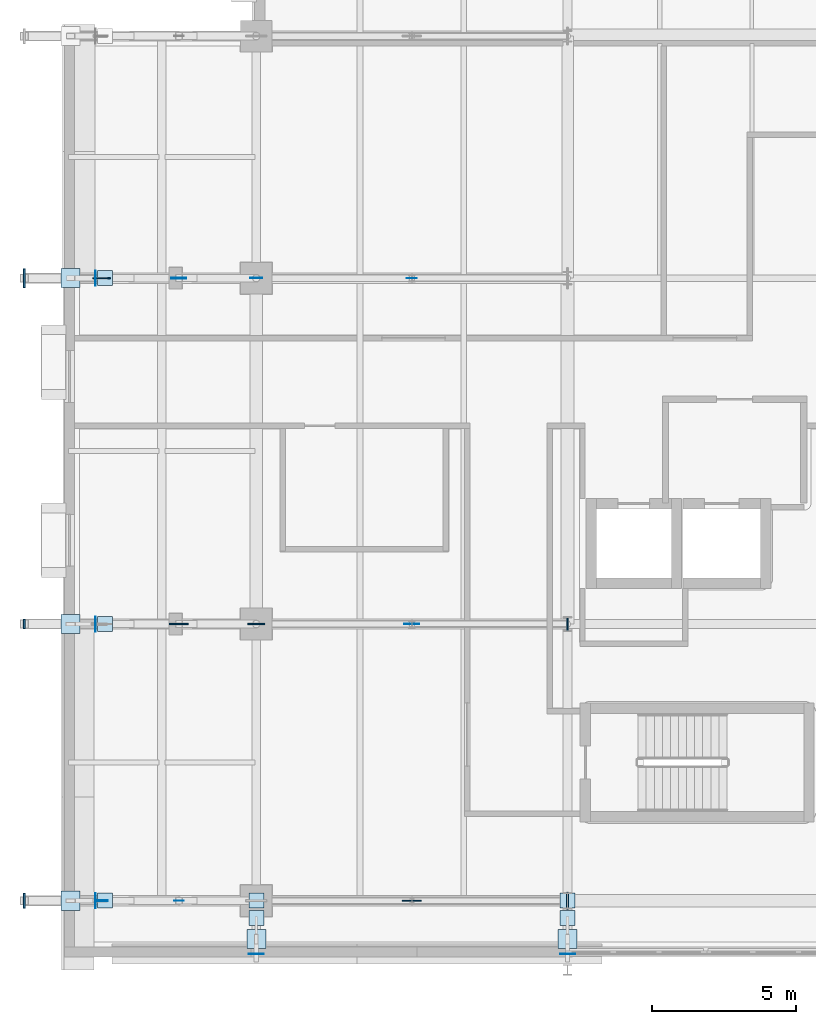
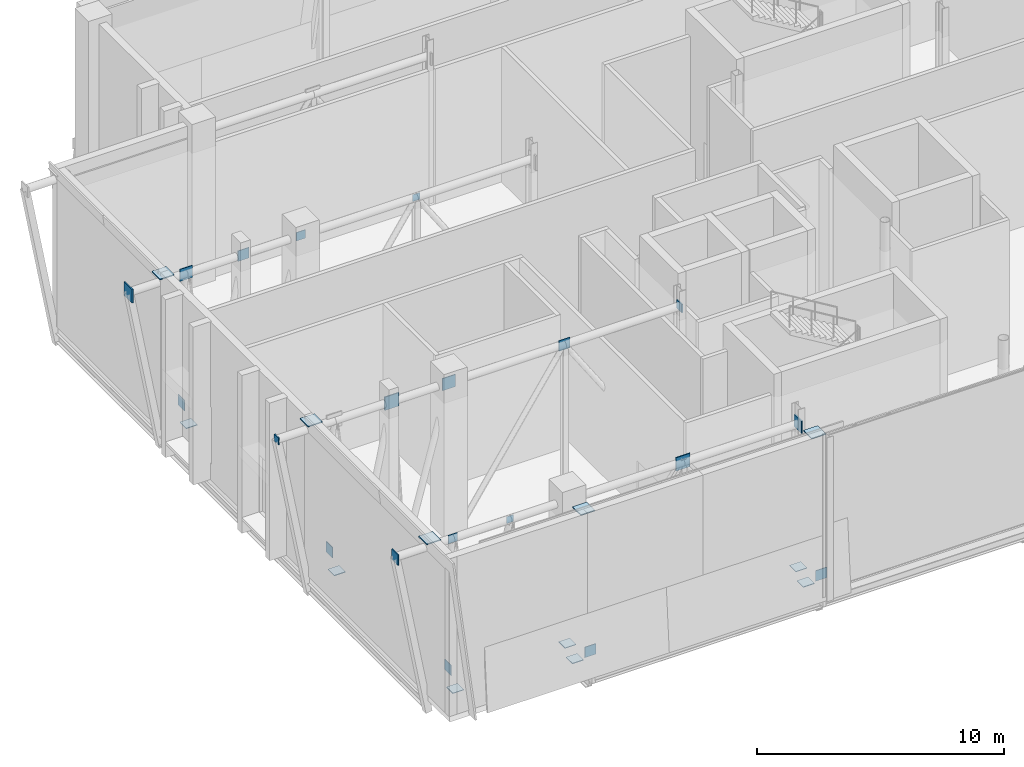
# One storey, part 43 of 79: 32 plates.
"""IFC4 building model written with IfcOpenShell, lengths in metres."""

import ifcopenshell
import ifcopenshell.guid

model = None  # the IFC model being written
_history = None  # IfcOwnerHistory: only IFC2X3 demands one
_inside = {}  # id of a spatial element -> (the spatial element, [elements in it])
_under = {}  # id of a project, library or spatial element -> (it, [spatial elements below it])
_declared = {}  # id of a project -> (the project, [libraries it declares])
_typed = {}  # id of a type object -> (the type object, [elements of that type])
_made_of = {}  # id of a material, layer set ... -> (it, [elements and type objects made of it])


def new_model(schema):
    """Start an empty IFC model of exactly this schema.

    Asked for "IFC4X3", IfcOpenShell would pick the latest addendum, in which some entities
    have other attributes; the version numbers below select the first issue.
    IFC2X3 requires an IfcOwnerHistory on every rooted entity: one is made here for all.
    """
    global model, _history
    if schema == "IFC4X3":
        model = ifcopenshell.file(schema_version=(4, 3, 0, 0))
    else:
        model = ifcopenshell.file(schema=schema)
    _inside.clear()
    _under.clear()
    _declared.clear()
    _typed.clear()
    _made_of.clear()
    _history = None
    if model.schema == "IFC2X3":
        org = make("IfcOrganization", Name="unknown")
        user = make(
            "IfcPersonAndOrganization",
            ThePerson=make("IfcPerson", FamilyName="unknown"),
            TheOrganization=org,
        )
        app = make(
            "IfcApplication",
            ApplicationDeveloper=org,
            Version="unknown",
            ApplicationFullName="unknown",
            ApplicationIdentifier="unknown",
        )
        _history = make(
            "IfcOwnerHistory",
            OwningUser=user,
            OwningApplication=app,
            ChangeAction="ADDED",
            CreationDate=0,
        )
    return model


def make(cls, **values):
    """One entity of the class cls with the attributes given. An attribute that is None is left unset."""
    return model.create_entity(
        cls, **{name: value for name, value in values.items() if value is not None}
    )


def rooted(cls, **values):
    """An entity with a GlobalId (a new one), such as an element, a storey or a relation."""
    return make(cls, GlobalId=ifcopenshell.guid.new(), OwnerHistory=_history, **values)


def si_unit(unit_type, name, prefix=None):
    """IfcSIUnit, for example si_unit("LENGTHUNIT", "METRE", prefix="MILLI")."""
    return make("IfcSIUnit", UnitType=unit_type, Prefix=prefix, Name=name)


def assignment(units):
    """IfcUnitAssignment: the units of a project."""
    return None if units is None else make("IfcUnitAssignment", Units=units)


def point(xyz):
    """IfcCartesianPoint."""
    return None if xyz is None else make("IfcCartesianPoint", Coordinates=xyz)


def direction(xyz):
    """IfcDirection."""
    return None if xyz is None else make("IfcDirection", DirectionRatios=xyz)


def frame(location, z_axis=None, x_axis=None):
    """IfcAxis2Placement3D, a coordinate frame: its origin and axes. An axis left out is left unset."""
    return make(
        "IfcAxis2Placement3D",
        Location=point(location),
        Axis=direction(z_axis),
        RefDirection=direction(x_axis),
    )


def frame_2d(location, x_axis=None):
    """IfcAxis2Placement2D, a coordinate frame in the plane: its origin and x axis."""
    return make(
        "IfcAxis2Placement2D", Location=point(location), RefDirection=direction(x_axis)
    )


def origin():
    """The frame at (0, 0, 0) with its axes left unset."""
    return frame((0.0, 0.0, 0.0))


def origin_2d():
    """The frame at (0, 0) in the plane with its x axis left unset."""
    return frame_2d((0.0, 0.0))


def place(relative_to, where):
    """IfcLocalPlacement: puts the frame where relative to a parent placement (None: the world)."""
    return make(
        "IfcLocalPlacement", PlacementRelTo=relative_to, RelativePlacement=where
    )


def context(
    kind, dimensions, precision=None, world=None, true_north=None, identifier=None
):
    """IfcGeometricRepresentationContext, for example the 3D "Model" context."""
    return make(
        "IfcGeometricRepresentationContext",
        ContextIdentifier=identifier,
        ContextType=kind,
        CoordinateSpaceDimension=dimensions,
        Precision=precision,
        WorldCoordinateSystem=world,
        TrueNorth=true_north,
    )


def subcontext(parent, identifier, kind, view, scale=None):
    """IfcGeometricRepresentationSubContext, for example "Body" below "Model"."""
    return make(
        "IfcGeometricRepresentationSubContext",
        ContextIdentifier=identifier,
        ContextType=kind,
        ParentContext=parent,
        TargetScale=scale,
        TargetView=view,
    )


def project(units=None, contexts=None):
    """IfcProject with its units and contexts."""
    return rooted(
        "IfcProject",
        Name="project",
        RepresentationContexts=contexts,
        UnitsInContext=assignment(units),
    )


def spatial(cls, under=None, at=None, **own):
    """A site, building, storey or space (cls), placed at a placement, below another one or the project."""
    s = rooted(cls, ObjectPlacement=at, **own)
    if under is not None:
        _under.setdefault(under.id(), (under, []))[1].append(s)
    return s


def profile(cls, at=None, kind="AREA", **sizes):
    """A parametric profile (cls). Its sizes go by their IFC names, for example OverallWidth=200.0."""
    return make(cls, ProfileType=kind, Position=at, **sizes)


def rectangle(**sizes):
    """IfcRectangleProfileDef."""
    return profile("IfcRectangleProfileDef", **sizes)


def extrude(swept, where, along, depth):
    """IfcExtrudedAreaSolid: the profile swept, set in the frame where, extruded along a direction by depth."""
    return make(
        "IfcExtrudedAreaSolid",
        SweptArea=swept,
        Position=where,
        ExtrudedDirection=direction(along),
        Depth=depth,
    )


def shape(context_of_items, identifier, shape_type, items):
    """IfcShapeRepresentation: the items that make up one representation, for example the "Body"."""
    return make(
        "IfcShapeRepresentation",
        ContextOfItems=context_of_items,
        RepresentationIdentifier=identifier,
        RepresentationType=shape_type,
        Items=items,
    )


def material(Name=None, Category=None):
    """IfcMaterial."""
    return make("IfcMaterial", Name=Name, Category=Category)


def layer(
    of_material, thickness, ventilated=None, Name=None, Category=None, Priority=None
):
    """IfcMaterialLayer: one layer of a wall or slab, of a material (None: an air gap)."""
    return make(
        "IfcMaterialLayer",
        Material=of_material,
        LayerThickness=thickness,
        IsVentilated=ventilated,
        Name=Name,
        Category=Category,
        Priority=Priority,
    )


def layer_set(layers, Name=None):
    """IfcMaterialLayerSet."""
    return make("IfcMaterialLayerSet", MaterialLayers=layers, LayerSetName=Name)


def made_of(thing, what):
    """Note that an element or type object is made of a material, layer set ...; save() writes the relation."""
    if what is not None:
        _made_of.setdefault(what.id(), (what, []))[1].append(thing)
    return thing


def type_object(cls, material=None, **own):
    """A type object (cls), such as IfcWallType, which elements share."""
    return made_of(rooted(cls, **own), material)


def element(
    cls,
    number,
    at=None,
    inside=None,
    cuts=None,
    type_object=None,
    material=None,
    context=None,
    identifier="Body",
    shape_type=None,
    held_by="IfcProductDefinitionShape",
    body=None,
    shapes=None,
    **own,
):
    """One element of the class cls, such as IfcWall. Its Tag is "e" and its number.

    at: its placement. inside: the storey or other place that contains it. cuts: it is an
    opening in that element (IfcRelVoidsElement). A single representation is given by context,
    identifier, shape_type and body (its items); several are given by shapes. held_by: the class
    of the entity that holds the representations. save() writes the other relations.
    """
    e = rooted(cls, Tag="e%d" % number, ObjectPlacement=at, **own)
    if body is not None:
        shapes = [shape(context, identifier, shape_type, body)]
    if shapes is not None:
        e.Representation = make(held_by, Representations=shapes)
    if inside is not None:
        _inside.setdefault(inside.id(), (inside, []))[1].append(e)
    if cuts is not None:
        rooted(
            "IfcRelVoidsElement", RelatingBuildingElement=cuts, RelatedOpeningElement=e
        )
    if type_object is not None:
        _typed.setdefault(type_object.id(), (type_object, []))[1].append(e)
    return made_of(e, material)


def aggregate(whole, parts):
    """IfcRelAggregates: a whole, such as a stair, and the parts it consists of."""
    return rooted("IfcRelAggregates", RelatingObject=whole, RelatedObjects=parts)


def save(model, path):
    """Write the relations noted so far, then the file.

    IfcRelAggregates (storeys below a building ...), IfcRelContainedInSpatialStructure (elements
    in a storey), IfcRelDefinesByType, IfcRelAssociatesMaterial and IfcRelDeclares: one each for
    every whole, place, type object, material and project.
    """
    for whole, parts in _under.values():
        aggregate(whole, parts)
    for where, things in _inside.values():
        rooted(
            "IfcRelContainedInSpatialStructure",
            RelatedElements=things,
            RelatingStructure=where,
        )
    for kind, things in _typed.values():
        rooted("IfcRelDefinesByType", RelatedObjects=things, RelatingType=kind)
    for what, things in _made_of.values():
        rooted("IfcRelAssociatesMaterial", RelatedObjects=things, RelatingMaterial=what)
    for by, libraries in _declared.values():
        rooted("IfcRelDeclares", RelatingContext=by, RelatedDefinitions=libraries)
    model.write(path)


model = new_model("IFC4")

# Units and contexts
model_context = context("Model", 3, precision=1e-05, world=origin(), true_north=direction((0.0, 1.0)))
body_context = subcontext(model_context, "Body", "Model", "MODEL_VIEW")
ifc_project = project(units=[si_unit("LENGTHUNIT", "METRE"), si_unit("AREAUNIT", "SQUARE_METRE"), si_unit("VOLUMEUNIT", "CUBIC_METRE"), si_unit("PLANEANGLEUNIT", "RADIAN"), si_unit("MASSUNIT", "GRAM", prefix="KILO")], contexts=[model_context])

# Site, building, storey
site_placement = place(None, origin())
site = spatial("IfcSite", under=ifc_project, at=site_placement, CompositionType="ELEMENT")
building_placement = place(site_placement, origin())
building = spatial("IfcBuilding", under=site, at=building_placement, Name="Zereglee Splitstone Museum", CompositionType="ELEMENT")
storey_placement = place(building_placement, frame((0.0, 0.0, 9.0)))
storey = spatial("IfcBuildingStorey", under=building, at=storey_placement, Name="L02", CompositionType="ELEMENT", Elevation=9.0)

# Plates
ifc_material = material(Name="Steel S355J2", Category="steel")
ifc_layer_1 = layer(ifc_material, 0.011962890625)
ifc_layer_set_1 = layer_set([ifc_layer_1], Name="Steel S355J2")
plate_type_1 = type_object("IfcPlateType", Name="NP-06", PredefinedType="SHEET", material=ifc_layer_set_1)
plate_1_placement = place(storey_placement, frame((6.916748046875, 0.0, 7.02978515625), z_axis=(0.0, 0.0, 1.0), x_axis=(1.0, 0.0, 0.0)))
element("IfcPlate", 1, at=plate_1_placement, inside=storey, type_object=plate_type_1, Name="Cantilever Truss Node Plate CN-01", PredefinedType="SHEET", context=body_context, shape_type="SweptSolid", body=[
    extrude(rectangle(XDim=0.340087890625, YDim=0.011962890625, at=origin_2d()), origin(), (0.0, 0.0, 1.0), 0.340087890625),
])
plate_2_placement = place(storey_placement, frame((1.550048828125, 9.60009765625, 7.02978515625), z_axis=(0.0, 0.0, 1.0), x_axis=(1.0, 0.0, 0.0)))
element("IfcPlate", 2, at=plate_2_placement, inside=storey, type_object=plate_type_1, Name="Cantilever Truss Node Plate CN-02", PredefinedType="SHEET", context=body_context, shape_type="SweptSolid", body=[
    extrude(rectangle(XDim=0.06005859375, YDim=0.340087890625, at=origin_2d()), origin(), (0.0, 0.0, 1.0), 0.340087890625),
])
plate_3_placement = place(storey_placement, frame((15.0, 21.60009765625, 7.02978515625), z_axis=(0.0, 0.0, 1.0), x_axis=(1.0, 0.0, 0.0)))
element("IfcPlate", 3, at=plate_3_placement, inside=storey, type_object=plate_type_1, Name="Cantilever Truss Node Plate CN-03", PredefinedType="SHEET", context=body_context, shape_type="SweptSolid", body=[
    extrude(rectangle(XDim=0.340087890625, YDim=0.011962890625, at=origin_2d()), origin(), (0.0, 0.0, 1.0), 0.340087890625),
])
ifc_layer_2 = layer(ifc_material, 0.02001953125)
ifc_layer_set_2 = layer_set([ifc_layer_2], Name="Steel S355J2")
plate_type_2 = type_object("IfcPlateType", Name="NP-05", PredefinedType="SHEET", material=ifc_layer_set_2)
plate_4_placement = place(storey_placement, frame((4.2333984375, 0.0, 6.989990234375), z_axis=(0.0, 0.0, 1.0), x_axis=(1.0, 0.0, 0.0)))
element("IfcPlate", 4, at=plate_4_placement, inside=storey, type_object=plate_type_2, Name="Cantilever Truss Node Plate CN-01", PredefinedType="SHEET", context=body_context, shape_type="SweptSolid", body=[
    extrude(rectangle(XDim=0.419921875, YDim=0.02001953125, at=origin_2d()), origin(), (0.0, 0.0, 1.0), 0.419921875),
])
plate_5_placement = place(storey_placement, frame((20.39990234375, 9.60009765625, 6.989990234375), z_axis=(0.0, 0.0, 1.0), x_axis=(1.0, 0.0, 0.0)))
element("IfcPlate", 5, at=plate_5_placement, inside=storey, type_object=plate_type_2, Name="Cantilever Truss Node Plate CN-02", PredefinedType="SHEET", context=body_context, shape_type="SweptSolid", body=[
    extrude(rectangle(XDim=0.06005859375, YDim=0.419921875, at=origin_2d()), origin(), (0.0, 0.0, 1.0), 0.419921875),
])
plate_6_placement = place(storey_placement, frame((9.60009765625, 21.60009765625, 6.989990234375), z_axis=(0.0, 0.0, 1.0), x_axis=(1.0, 0.0, 0.0)))
element("IfcPlate", 6, at=plate_6_placement, inside=storey, type_object=plate_type_2, Name="Cantilever Truss Node Plate CN-03", PredefinedType="SHEET", context=body_context, shape_type="SweptSolid", body=[
    extrude(rectangle(XDim=0.419921875, YDim=0.02001953125, at=origin_2d()), origin(), (0.0, 0.0, 1.0), 0.419921875),
])
ifc_layer_3 = layer(ifc_material, 0.030029296875)
ifc_layer_set_3 = layer_set([ifc_layer_3], Name="Steel S355J2")
plate_type_3 = type_object("IfcPlateType", Name="NP-04", PredefinedType="SHEET", material=ifc_layer_set_3)
plate_7_placement = place(storey_placement, frame((1.550048828125, 0.0, 6.93994140625), z_axis=(0.0, 0.0, 1.0), x_axis=(1.0, 0.0, 0.0)))
element("IfcPlate", 7, at=plate_7_placement, inside=storey, type_object=plate_type_3, Name="Cantilever Truss Node Plate CN-01", PredefinedType="SHEET", context=body_context, shape_type="SweptSolid", body=[
    extrude(rectangle(XDim=0.06005859375, YDim=0.52001953125, at=origin_2d()), origin(), (0.0, 0.0, 1.0), 0.52001953125),
])
for number, where, z_axis, x_axis, name in (
    (8, (15.0, 9.60009765625, 6.93994140625), (0.0, 0.0, 1.0), (1.0, 0.0, 0.0), "Cantilever Truss Node Plate CN-02"),
    (9, (6.916748046875, 21.60009765625, 6.93994140625), (0.0, 0.0, 1.0), (1.0, 0.0, 0.0), "Cantilever Truss Node Plate CN-03"),
):
    element("IfcPlate", number, at=place(storey_placement, frame(where, z_axis=z_axis, x_axis=x_axis)), inside=storey, type_object=plate_type_3, Name=name, PredefinedType="SHEET", context=body_context, shape_type="SweptSolid", body=[
        extrude(rectangle(XDim=0.52001953125, YDim=0.030029296875, at=origin_2d()), origin(), (0.0, 0.0, 1.0), 0.52001953125),
    ])
for number, where, z_axis, x_axis, name in (
    (10, (9.60009765625, 0.0, 0.10498046875), (0.0, 0.0, 1.0), (1.0, 0.0, 0.0), "CBF Brace Gusset Cap L02-002"),
    (11, (20.39990234375, 0.0, 0.10498046875), (0.0, 0.0, 1.0), (1.0, 0.0, 0.0), "CBF Brace Gusset Cap L02-002"),
    (12, (4.35009765625, 0.0, -0.294921875), (0.0, 0.0, 1.0), (1.0, 0.0, 0.0), "Facet Tie Seal Plate FH-V1W-S"),
):
    element("IfcPlate", number, at=place(storey_placement, frame(where, z_axis=z_axis, x_axis=x_axis)), inside=storey, type_object=plate_type_3, Name=name, PredefinedType="SHEET", context=body_context, shape_type="SweptSolid", body=[
        extrude(rectangle(XDim=0.52001953125, YDim=0.52001953125, at=origin_2d()), origin(), (0.0, 0.0, 1.0), 0.030029296875),
    ])
plate_8_placement = place(storey_placement, frame((4.02294921875, 0.0, 0.619873046875), z_axis=(0.0, 0.0, 1.0), x_axis=(1.0, 0.0, 0.0)))
element("IfcPlate", 13, at=plate_8_placement, inside=storey, type_object=plate_type_3, Name="Facet Tie Seal Plate FH-V1W-S", PredefinedType="SHEET", context=body_context, shape_type="SweptSolid", body=[
    extrude(rectangle(XDim=0.030029296875, YDim=0.52001953125, at=origin_2d()), origin(), (0.0, 0.0, 1.0), 0.52001953125),
])
plate_9_placement = place(storey_placement, frame((4.35009765625, 9.60009765625, -0.294921875), z_axis=(0.0, 0.0, 1.0), x_axis=(1.0, 0.0, 0.0)))
element("IfcPlate", 14, at=plate_9_placement, inside=storey, type_object=plate_type_3, Name="Facet Tie Seal Plate FH-V1W-S", PredefinedType="SHEET", context=body_context, shape_type="SweptSolid", body=[
    extrude(rectangle(XDim=0.52001953125, YDim=0.52001953125, at=origin_2d()), origin(), (0.0, 0.0, 1.0), 0.030029296875),
])
plate_10_placement = place(storey_placement, frame((4.02294921875, 9.60009765625, 0.619873046875), z_axis=(0.0, 0.0, 1.0), x_axis=(1.0, 0.0, 0.0)))
element("IfcPlate", 15, at=plate_10_placement, inside=storey, type_object=plate_type_3, Name="Facet Tie Seal Plate FH-V1W-S", PredefinedType="SHEET", context=body_context, shape_type="SweptSolid", body=[
    extrude(rectangle(XDim=0.030029296875, YDim=0.52001953125, at=origin_2d()), origin(), (0.0, 0.0, 1.0), 0.52001953125),
])
plate_11_placement = place(storey_placement, frame((4.35009765625, 21.60009765625, -0.294921875), z_axis=(0.0, 0.0, 1.0), x_axis=(1.0, 0.0, 0.0)))
element("IfcPlate", 16, at=plate_11_placement, inside=storey, type_object=plate_type_3, Name="Facet Tie Seal Plate FH-V1W-N", PredefinedType="SHEET", context=body_context, shape_type="SweptSolid", body=[
    extrude(rectangle(XDim=0.52001953125, YDim=0.52001953125, at=origin_2d()), origin(), (0.0, 0.0, 1.0), 0.030029296875),
])
plate_12_placement = place(storey_placement, frame((4.02294921875, 21.60009765625, 0.619873046875), z_axis=(0.0, 0.0, 1.0), x_axis=(1.0, 0.0, 0.0)))
element("IfcPlate", 17, at=plate_12_placement, inside=storey, type_object=plate_type_3, Name="Facet Tie Seal Plate FH-V1W-N", PredefinedType="SHEET", context=body_context, shape_type="SweptSolid", body=[
    extrude(rectangle(XDim=0.030029296875, YDim=0.52001953125, at=origin_2d()), origin(), (0.0, 0.0, 1.0), 0.52001953125),
])
plate_13_placement = place(storey_placement, frame((9.60009765625, -0.60009765625, -0.294921875), z_axis=(0.0, 0.0, 1.0), x_axis=(1.0, 0.0, 0.0)))
element("IfcPlate", 18, at=plate_13_placement, inside=storey, type_object=plate_type_3, Name="Facet Tie Seal Plate FH-V1S-W", PredefinedType="SHEET", context=body_context, shape_type="SweptSolid", body=[
    extrude(rectangle(XDim=0.52001953125, YDim=0.52001953125, at=origin_2d()), origin(), (0.0, 0.0, 1.0), 0.030029296875),
])
plate_14_placement = place(storey_placement, frame((9.60009765625, -1.84716796875, 0.619873046875), z_axis=(0.0, 0.0, 1.0), x_axis=(1.0, 0.0, 0.0)))
element("IfcPlate", 19, at=plate_14_placement, inside=storey, type_object=plate_type_3, Name="Facet Tie Seal Plate FH-V1S-W", PredefinedType="SHEET", context=body_context, shape_type="SweptSolid", body=[
    extrude(rectangle(XDim=0.52001953125, YDim=0.030029296875, at=origin_2d()), origin(), (0.0, 0.0, 1.0), 0.52001953125),
])
plate_15_placement = place(storey_placement, frame((20.39990234375, -0.60009765625, -0.294921875), z_axis=(0.0, 0.0, 1.0), x_axis=(1.0, 0.0, 0.0)))
element("IfcPlate", 20, at=plate_15_placement, inside=storey, type_object=plate_type_3, Name="Facet Tie Seal Plate FH-V1S-W", PredefinedType="SHEET", context=body_context, shape_type="SweptSolid", body=[
    extrude(rectangle(XDim=0.52001953125, YDim=0.52001953125, at=origin_2d()), origin(), (0.0, 0.0, 1.0), 0.030029296875),
])
plate_16_placement = place(storey_placement, frame((20.39990234375, -1.84716796875, 0.619873046875), z_axis=(0.0, 0.0, 1.0), x_axis=(1.0, 0.0, 0.0)))
element("IfcPlate", 21, at=plate_16_placement, inside=storey, type_object=plate_type_3, Name="Facet Tie Seal Plate FH-V1S-W", PredefinedType="SHEET", context=body_context, shape_type="SweptSolid", body=[
    extrude(rectangle(XDim=0.52001953125, YDim=0.030029296875, at=origin_2d()), origin(), (0.0, 0.0, 1.0), 0.52001953125),
])
ifc_layer_4 = layer(ifc_material, 0.0400390625)
ifc_layer_set_4 = layer_set([ifc_layer_4], Name="Steel S355J2")
plate_type_4 = type_object("IfcPlateType", Name="NP-03", PredefinedType="SHEET", material=ifc_layer_set_4)
plate_17_placement = place(storey_placement, frame((20.39990234375, 0.0, 6.89990234375), z_axis=(0.0, 0.0, 1.0), x_axis=(1.0, 0.0, 0.0)))
element("IfcPlate", 22, at=plate_17_placement, inside=storey, type_object=plate_type_4, Name="Cantilever Truss Node Plate CN-01", PredefinedType="SHEET", context=body_context, shape_type="SweptSolid", body=[
    extrude(rectangle(XDim=0.06005859375, YDim=0.60009765625, at=origin_2d()), origin(), (0.0, 0.0, 1.0), 0.60009765625),
])
for number, where, z_axis, x_axis, name in (
    (23, (9.60009765625, 9.60009765625, 6.89990234375), (0.0, 0.0, 1.0), (1.0, 0.0, 0.0), "Cantilever Truss Node Plate CN-02"),
    (24, (4.2333984375, 21.60009765625, 6.89990234375), (0.0, 0.0, 1.0), (1.0, 0.0, 0.0), "Cantilever Truss Node Plate CN-03"),
):
    element("IfcPlate", number, at=place(storey_placement, frame(where, z_axis=z_axis, x_axis=x_axis)), inside=storey, type_object=plate_type_4, Name=name, PredefinedType="SHEET", context=body_context, shape_type="SweptSolid", body=[
        extrude(rectangle(XDim=0.60009765625, YDim=0.0400390625, at=origin_2d()), origin(), (0.0, 0.0, 1.0), 0.60009765625),
    ])
ifc_layer_5 = layer(ifc_material, 0.050048828125)
ifc_layer_set_5 = layer_set([ifc_layer_5], Name="Steel S355J2")
plate_type_5 = type_object("IfcPlateType", Name="NP-02", PredefinedType="SHEET", material=ifc_layer_set_5)
for number, where, z_axis, x_axis, name in (
    (25, (15.0, 0.0, 6.8701171875), (0.0, 0.0, 1.0), (1.0, 0.0, 0.0), "Cantilever Truss Node Plate CN-01"),
    (26, (6.916748046875, 9.60009765625, 6.8701171875), (0.0, 0.0, 1.0), (1.0, 0.0, 0.0), "Cantilever Truss Node Plate CN-02"),
):
    element("IfcPlate", number, at=place(storey_placement, frame(where, z_axis=z_axis, x_axis=x_axis)), inside=storey, type_object=plate_type_5, Name=name, PredefinedType="SHEET", context=body_context, shape_type="SweptSolid", body=[
        extrude(rectangle(XDim=0.659912109375, YDim=0.050048828125, at=origin_2d()), origin(), (0.0, 0.0, 1.0), 0.659912109375),
    ])
plate_18_placement = place(storey_placement, frame((1.550048828125, 21.60009765625, 6.8701171875), z_axis=(0.0, 0.0, 1.0), x_axis=(1.0, 0.0, 0.0)))
element("IfcPlate", 27, at=plate_18_placement, inside=storey, type_object=plate_type_5, Name="Cantilever Truss Node Plate CN-03", PredefinedType="SHEET", context=body_context, shape_type="SweptSolid", body=[
    extrude(rectangle(XDim=0.06005859375, YDim=0.659912109375, at=origin_2d()), origin(), (0.0, 0.0, 1.0), 0.659912109375),
])
for number, where, z_axis, x_axis, name in (
    (28, (3.156982421875, 0.0, 7.544921875), (0.0, 0.0, 1.0), (1.0, 0.0, 0.0), "Facet Strut Seal Plate FH-V1W-S"),
    (29, (3.156982421875, 9.60009765625, 7.544921875), (0.0, 0.0, 1.0), (1.0, 0.0, 0.0), "Facet Strut Seal Plate FH-V1W-S"),
    (30, (3.156982421875, 21.60009765625, 7.544921875), (0.0, 0.0, 1.0), (1.0, 0.0, 0.0), "Facet Strut Seal Plate FH-V1W-N"),
    (31, (9.60009765625, -1.33154296875, 7.544921875), (0.0, 0.0, 1.0), (1.0, 0.0, 0.0), "Facet Strut Seal Plate FH-V1S-W"),
    (32, (20.39990234375, -1.33154296875, 7.544921875), (0.0, 0.0, 1.0), (1.0, 0.0, 0.0), "Facet Strut Seal Plate FH-V1S-W"),
):
    element("IfcPlate", number, at=place(storey_placement, frame(where, z_axis=z_axis, x_axis=x_axis)), inside=storey, type_object=plate_type_5, Name=name, PredefinedType="SHEET", context=body_context, shape_type="SweptSolid", body=[
        extrude(rectangle(XDim=0.659912109375, YDim=0.659912109375, at=origin_2d()), origin(), (0.0, 0.0, 1.0), 0.050048828125),
    ])

save(model, "model.ifc")
